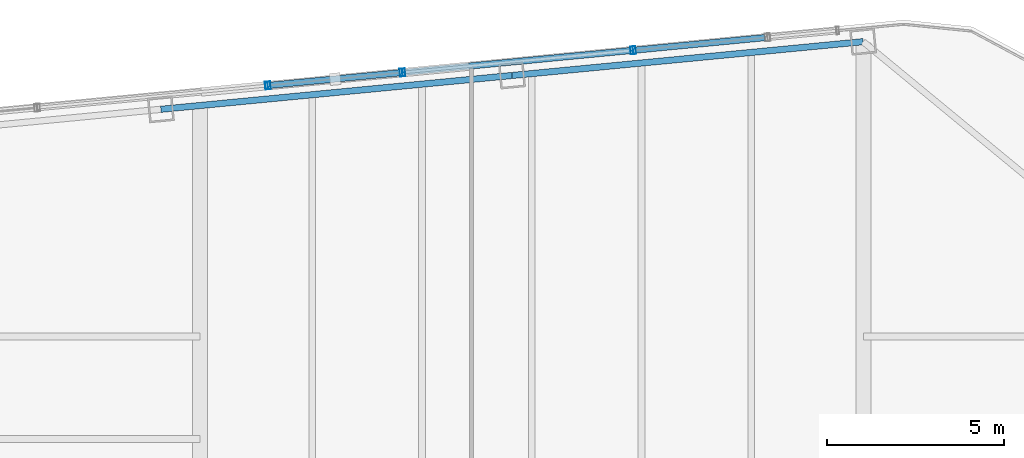
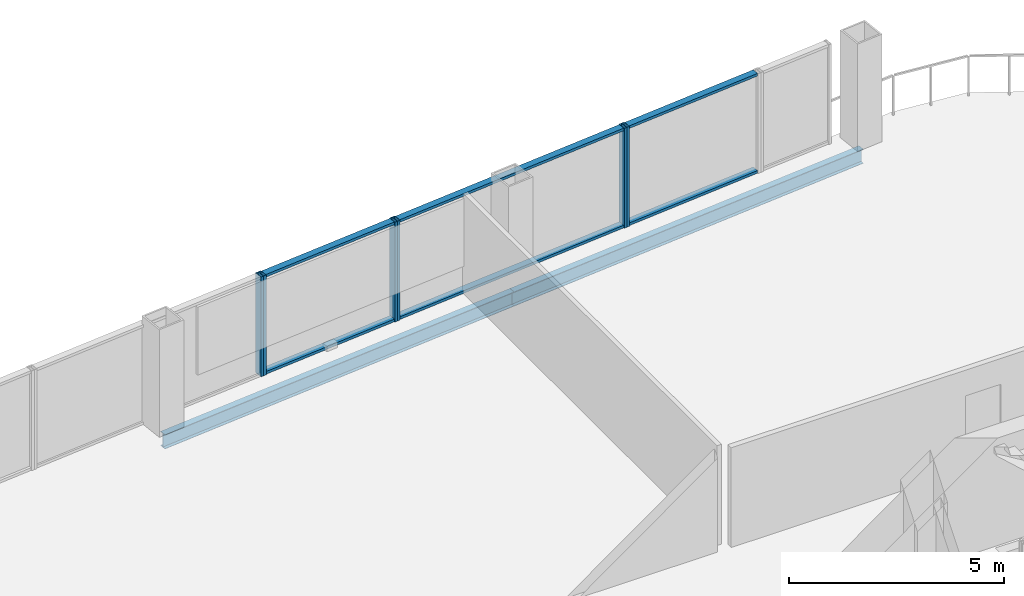
# One storey, part 14 of 21: 12 members, 2 beams, 4 elements without a shape of their own.
"""IFC4 building model written with IfcOpenShell, lengths in metres."""

from ifc_helpers import new_model, si_unit, direction, frame, origin, origin_2d, place, context, subcontext, project, spatial, hollow_rectangle, i_section, extrude, material, layer, layer_set, material_profile, profile_set, type_object, element, aggregate, save


model = new_model("IFC4")

# Units and contexts
model_context = context("Model", 3, precision=1e-05, world=origin(), true_north=direction((0.0, 1.0)))
body_context = subcontext(model_context, "Body", "Model", "MODEL_VIEW")
ifc_project = project(units=[si_unit("LENGTHUNIT", "METRE"), si_unit("AREAUNIT", "SQUARE_METRE"), si_unit("VOLUMEUNIT", "CUBIC_METRE"), si_unit("PLANEANGLEUNIT", "RADIAN"), si_unit("MASSUNIT", "GRAM", prefix="KILO")], contexts=[model_context])

# Site, building, storey
site_placement = place(None, origin())
site = spatial("IfcSite", under=ifc_project, at=site_placement, CompositionType="ELEMENT")
building_placement = place(site_placement, origin())
building = spatial("IfcBuilding", under=site, at=building_placement, Name="Qhalaya Broadcast Tower", CompositionType="ELEMENT")
storey_placement = place(building_placement, frame((0.0, 0.0, 162.25)))
storey = spatial("IfcBuildingStorey", under=building, at=storey_placement, Name="L47", CompositionType="ELEMENT", Elevation=162.25)

# Curtain wall, member
ifc_material_1 = material(Name="Solar-Control Low-E Triple Glazing", Category="glass")
ifc_layer_1 = layer(ifc_material_1, 0.219970703125, Name="Solar-Control Low-E Triple Glazing")
ifc_layer_set_1 = layer_set([ifc_layer_1], Name="Solar-Control Low-E Triple Glazing")
curtain_wall_type_1 = type_object("IfcCurtainWallType", Name="Even-Block 4-Storey Double-Module Curtain Wall CW-03", PredefinedType="NOTDEFINED", material=ifc_layer_set_1)
curtain_wall_1_placement = place(storey_placement, origin())
curtain_wall_1 = element("IfcCurtainWall", 1, at=curtain_wall_1_placement, inside=storey, type_object=curtain_wall_type_1, Name="L47 Unitised Curtain Wall L47-CW-N2", PredefinedType="NOTDEFINED")
ifc_material_2 = material(Name="Anodised Aluminium 6063-T6", Category="aluminium")
ifc_material_profile_1 = material_profile(ifc_material_2, hollow_rectangle(XDim=0.074951171875, YDim=0.219970703125, WallThickness=0.00390625, at=origin_2d()), Name="ALU-MUL 75x220x4")
ifc_profile_set_1 = profile_set([ifc_material_profile_1], Name="Anodised Aluminium 6063-T6")
member_type_1 = type_object("IfcMemberType", Name="Unitised Curtain-Wall Mullion M01", PredefinedType="MULLION", material=ifc_profile_set_1)
member_1_placement = place(storey_placement, frame((2.898681640625, 25.287353515625, 0.0), z_axis=(0.0, 0.0, 1.0), x_axis=(-0.995396841683, -0.095839071198, 0.0)))
member_1 = element("IfcMember", 2, at=member_1_placement, type_object=member_type_1, Name="CW-03 mullion 2", PredefinedType="MULLION", context=body_context, shape_type="SweptSolid", body=[
    extrude(hollow_rectangle(XDim=0.074951171875, YDim=0.219970703125, WallThickness=0.00390625, at=origin_2d()), origin(), (0.0, 0.0, 1.0), 2.830078125),
])

# Curtain wall, members
ifc_material_3 = material(Name="Fired Architectural Terracotta", Category="masonry")
ifc_layer_2 = layer(ifc_material_3, 0.219970703125, Name="Fired Architectural Terracotta")
ifc_layer_set_2 = layer_set([ifc_layer_2], Name="Fired Architectural Terracotta")
curtain_wall_type_2 = type_object("IfcCurtainWallType", Name="Block-Cap Unitised Terracotta Spandrel Wall CW-07", PredefinedType="NOTDEFINED", material=ifc_layer_set_2)
curtain_wall_2_placement = place(storey_placement, origin())
curtain_wall_2 = element("IfcCurtainWall", 3, at=curtain_wall_2_placement, inside=storey, type_object=curtain_wall_type_2, Name="L47 Unitised Curtain Wall L47-CW-N3", PredefinedType="NOTDEFINED")
member_2_placement = place(storey_placement, frame((2.823974609375, 25.280029296875, 0.0), z_axis=(0.0, 0.0, 1.0), x_axis=(-0.995396395442, -0.095843705796, 0.0)))
member_2 = element("IfcMember", 4, at=member_2_placement, type_object=member_type_1, Name="CW-07 mullion 1", PredefinedType="MULLION", context=body_context, shape_type="SweptSolid", body=[
    extrude(hollow_rectangle(XDim=0.074951171875, YDim=0.219970703125, WallThickness=0.00390625, at=origin_2d()), origin(), (0.0, 0.0, 1.0), 2.830078125),
])
member_3_placement = place(storey_placement, frame((-3.6162109375, 24.659912109375, 0.0), z_axis=(0.0, 0.0, 1.0), x_axis=(-0.995396395442, -0.095843705796, 0.0)))
member_3 = element("IfcMember", 5, at=member_3_placement, type_object=member_type_1, Name="CW-07 mullion 2", PredefinedType="MULLION", context=body_context, shape_type="SweptSolid", body=[
    extrude(hollow_rectangle(XDim=0.074951171875, YDim=0.219970703125, WallThickness=0.00390625, at=origin_2d()), origin(), (0.0, 0.0, 1.0), 2.830078125),
])

curtain_wall_3_placement = place(storey_placement, origin())
curtain_wall_3 = element("IfcCurtainWall", 6, at=curtain_wall_3_placement, inside=storey, type_object=curtain_wall_type_1, Name="L47 Unitised Curtain Wall L47-CW-N4", PredefinedType="NOTDEFINED")
member_4_placement = place(storey_placement, frame((-3.69091796875, 24.65283203125, 0.0), z_axis=(0.0, 0.0, 1.0), x_axis=(-0.995394252506, -0.095865958916, 0.0)))
member_4 = element("IfcMember", 7, at=member_4_placement, type_object=member_type_1, Name="CW-03 mullion 1", PredefinedType="MULLION", context=body_context, shape_type="SweptSolid", body=[
    extrude(hollow_rectangle(XDim=0.074951171875, YDim=0.219970703125, WallThickness=0.00390625, at=origin_2d()), origin(), (0.0, 0.0, 1.0), 2.830078125),
])
member_5_placement = place(storey_placement, frame((-7.420654296875, 24.293701171875, 0.0), z_axis=(0.0, 0.0, 1.0), x_axis=(-0.995394252506, -0.095865958916, 0.0)))
member_5 = element("IfcMember", 8, at=member_5_placement, type_object=member_type_1, Name="CW-03 mullion 2", PredefinedType="MULLION", context=body_context, shape_type="SweptSolid", body=[
    extrude(hollow_rectangle(XDim=0.074951171875, YDim=0.219970703125, WallThickness=0.00390625, at=origin_2d()), origin(), (0.0, 0.0, 1.0), 2.830078125),
])

# Curtain wall, member
curtain_wall_4_placement = place(storey_placement, origin())
curtain_wall_4 = element("IfcCurtainWall", 9, at=curtain_wall_4_placement, inside=storey, type_object=curtain_wall_type_2, Name="L47 Unitised Curtain Wall L47-CW-N5", PredefinedType="NOTDEFINED")
member_6_placement = place(storey_placement, frame((-7.4951171875, 24.286376953125, 0.0), z_axis=(0.0, 0.0, 1.0), x_axis=(-0.995396255089, -0.095845163439, 0.0)))
member_6 = element("IfcMember", 10, at=member_6_placement, type_object=member_type_1, Name="CW-07 mullion 1", PredefinedType="MULLION", context=body_context, shape_type="SweptSolid", body=[
    extrude(hollow_rectangle(XDim=0.074951171875, YDim=0.219970703125, WallThickness=0.00390625, at=origin_2d()), origin(), (0.0, 0.0, 1.0), 2.830078125),
])
aggregate(curtain_wall_4, [member_6])

# Member
ifc_material_profile_2 = material_profile(ifc_material_2, hollow_rectangle(XDim=0.074951171875, YDim=0.179931640625, WallThickness=0.00390625, at=origin_2d()), Name="ALU-TRN 75x180x4")
ifc_profile_set_2 = profile_set([ifc_material_profile_2], Name="Anodised Aluminium 6063-T6")
member_type_2 = type_object("IfcMemberType", Name="Unitised Curtain-Wall Transom T01", PredefinedType="USERDEFINED", material=ifc_profile_set_2)
member_7_placement = place(storey_placement, frame((6.590087890625, 25.642822265625, 0.03759765625), z_axis=(-0.995390855549, -0.095901223605, 0.0), x_axis=(0.0, 0.0, 1.0)))
member_7 = element("IfcMember", 11, at=member_7_placement, type_object=member_type_2, Name="CW-03 transom 1.1", ObjectType="TRANSOM", PredefinedType="USERDEFINED", context=body_context, shape_type="SweptSolid", body=[
    extrude(hollow_rectangle(XDim=0.074951171875, YDim=0.179931640625, WallThickness=0.00390625, at=origin_2d()), origin(), (0.0, 0.0, 1.0), 3.6708984375),
])

member_8_placement = place(storey_placement, frame((6.590087890625, 25.642822265625, 2.79248046875), z_axis=(-0.995390855549, -0.095901223605, 0.0), x_axis=(0.0, 0.0, 1.0)))
member_8 = element("IfcMember", 12, at=member_8_placement, type_object=member_type_2, Name="CW-03 transom 1.2", ObjectType="TRANSOM", PredefinedType="USERDEFINED", context=body_context, shape_type="SweptSolid", body=[
    extrude(hollow_rectangle(XDim=0.074951171875, YDim=0.179931640625, WallThickness=0.00390625, at=origin_2d()), origin(), (0.0, 0.0, 1.0), 3.6708984375),
])

aggregate(curtain_wall_1, [member_1, member_7, member_8])

member_9_placement = place(storey_placement, frame((2.786865234375, 25.276611328125, 0.03759765625), z_axis=(-0.995394889445, -0.095859345225, 0.0), x_axis=(0.0, 0.0, 1.0)))
member_9 = element("IfcMember", 13, at=member_9_placement, type_object=member_type_2, Name="CW-07 transom 1.1", ObjectType="TRANSOM", PredefinedType="USERDEFINED", context=body_context, shape_type="SweptSolid", body=[
    extrude(hollow_rectangle(XDim=0.074951171875, YDim=0.179931640625, WallThickness=0.00390625, at=origin_2d()), origin(), (0.0, 0.0, 1.0), 6.395263671875),
])

member_10_placement = place(storey_placement, frame((2.786865234375, 25.276611328125, 2.79248046875), z_axis=(-0.995394889445, -0.095859345225, 0.0), x_axis=(0.0, 0.0, 1.0)))
member_10 = element("IfcMember", 14, at=member_10_placement, type_object=member_type_2, Name="CW-07 transom 1.2", ObjectType="TRANSOM", PredefinedType="USERDEFINED", context=body_context, shape_type="SweptSolid", body=[
    extrude(hollow_rectangle(XDim=0.074951171875, YDim=0.179931640625, WallThickness=0.00390625, at=origin_2d()), origin(), (0.0, 0.0, 1.0), 6.395263671875),
])

aggregate(curtain_wall_2, [member_2, member_3, member_9, member_10])

member_11_placement = place(storey_placement, frame((-3.728271484375, 24.649169921875, 0.03759765625), z_axis=(-0.995393301201, -0.095875835972, 0.0), x_axis=(0.0, 0.0, 1.0)))
member_11 = element("IfcMember", 15, at=member_11_placement, type_object=member_type_2, Name="CW-03 transom 1.1", ObjectType="TRANSOM", PredefinedType="USERDEFINED", context=body_context, shape_type="SweptSolid", body=[
    extrude(hollow_rectangle(XDim=0.074951171875, YDim=0.179931640625, WallThickness=0.00390625, at=origin_2d()), origin(), (0.0, 0.0, 1.0), 3.671875),
])

member_12_placement = place(storey_placement, frame((-3.728271484375, 24.649169921875, 2.79248046875), z_axis=(-0.995393301201, -0.095875835972, 0.0), x_axis=(0.0, 0.0, 1.0)))
member_12 = element("IfcMember", 16, at=member_12_placement, type_object=member_type_2, Name="CW-03 transom 1.2", ObjectType="TRANSOM", PredefinedType="USERDEFINED", context=body_context, shape_type="SweptSolid", body=[
    extrude(hollow_rectangle(XDim=0.074951171875, YDim=0.179931640625, WallThickness=0.00390625, at=origin_2d()), origin(), (0.0, 0.0, 1.0), 3.671875),
])

aggregate(curtain_wall_3, [member_4, member_5, member_11, member_12])

# Beams
ifc_material_4 = material(Name="Structural Steel ASTM A992 Grade 50", Category="steel")
ifc_material_profile_3 = material_profile(ifc_material_4, i_section(OverallWidth=0.177978515625, OverallDepth=0.406005859375, WebThickness=0.0078125, FlangeThickness=0.0126953125, at=origin_2d()), Name="W16X40")
ifc_profile_set_3 = profile_set([ifc_material_profile_3], Name="Structural Steel ASTM A992 Grade 50")
beam_type = type_object("IfcBeamType", Name="Upper Perimeter Spandrel Beam SP2", PredefinedType="SPANDREL", material=ifc_profile_set_3)
beam_1_placement = place(storey_placement, frame((9.362060546875, 25.52783203125, -0.423095703125), z_axis=(-0.99539573508, -0.095850563819, 0.0), x_axis=(0.095850563819, -0.99539573508, 0.0)))
element("IfcBeam", 17, at=beam_1_placement, inside=storey, type_object=beam_type, Name="L47 SP2 L47-SPR-09", PredefinedType="SPANDREL", context=body_context, shape_type="SweptSolid", body=[
    extrude(i_section(OverallWidth=0.177978515625, OverallDepth=0.406005859375, WebThickness=0.0078125, FlangeThickness=0.0126953125, at=origin_2d()), origin(), (0.0, 0.0, 1.0), 9.966796875),
])
beam_2_placement = place(storey_placement, frame((-0.558837890625, 24.572509765625, -0.423095703125), z_axis=(-0.995395510024, -0.095852900965, 0.0), x_axis=(0.095852900965, -0.995395510024, 0.0)))
element("IfcBeam", 18, at=beam_2_placement, inside=storey, type_object=beam_type, Name="L47 SP2 L47-SPR-10", PredefinedType="SPANDREL", context=body_context, shape_type="SweptSolid", body=[
    extrude(i_section(OverallWidth=0.177978515625, OverallDepth=0.406005859375, WebThickness=0.0078125, FlangeThickness=0.0126953125, at=origin_2d()), origin(), (0.0, 0.0, 1.0), 9.966552734375),
])

save(model, "model.ifc")
